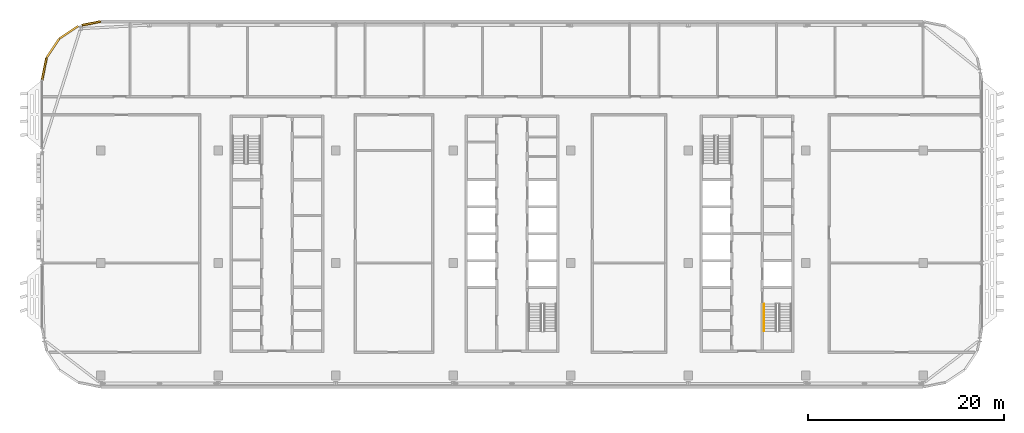
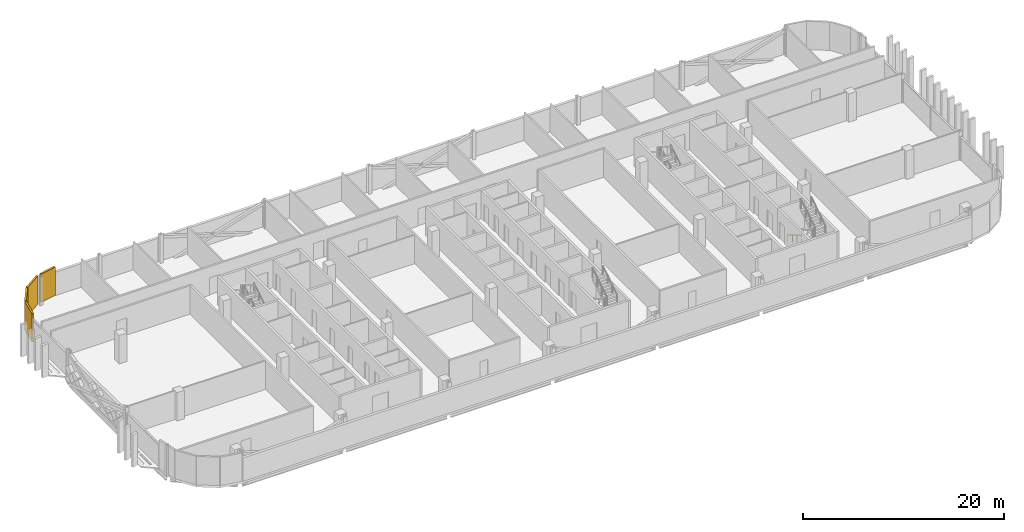
# One storey, part 23 of 25: 4 coverings, 1 railing.
"""IFC4 building model written with IfcOpenShell, lengths in metres."""

from ifc_helpers import new_model, si_unit, direction, frame, origin, origin_2d, place, context, subcontext, project, spatial, rectangle, circle, extrude, material, layer, layer_set, type_object, element, save


model = new_model("IFC4")

# Units and contexts
model_context = context("Model", 3, precision=1e-05, world=origin(), true_north=direction((0.0, 1.0)))
body_context = subcontext(model_context, "Body", "Model", "MODEL_VIEW")
ifc_project = project(units=[si_unit("LENGTHUNIT", "METRE"), si_unit("AREAUNIT", "SQUARE_METRE"), si_unit("VOLUMEUNIT", "CUBIC_METRE"), si_unit("PLANEANGLEUNIT", "RADIAN"), si_unit("MASSUNIT", "GRAM", prefix="KILO")], contexts=[model_context])

# Site, building, storey
site_placement = place(None, origin())
site = spatial("IfcSite", under=ifc_project, at=site_placement, CompositionType="ELEMENT")
building_placement = place(site_placement, origin())
building = spatial("IfcBuilding", under=site, at=building_placement, Name="Mahtab Terrace Research Tower", CompositionType="ELEMENT")
storey_placement = place(building_placement, frame((0.0, 0.0, 278.5)))
storey = spatial("IfcBuildingStorey", under=building, at=storey_placement, Name="L68", CompositionType="ELEMENT", Elevation=278.5)

# Coverings
ifc_material_1 = material(Name="Black aluminium cladding panel", Category="aluminium")
ifc_layer = layer(ifc_material_1, 0.199951171875)
ifc_layer_set = layer_set([ifc_layer], Name="Black metal corner cladding 200")
covering_type = type_object("IfcCoveringType", Name="Black metal corner cladding 200", PredefinedType="CLADDING", material=ifc_layer_set)
covering_placement = place(storey_placement, frame((-42.9677734375, 24.475341796875, 0.0), z_axis=(0.0, 0.0, 1.0), x_axis=(-0.980760981187, -0.195212442692, 0.0)))
element("IfcCovering", 1, at=covering_placement, inside=storey, type_object=covering_type, Name="Corner cladding L68 4", PredefinedType="CLADDING", context=body_context, shape_type="SweptSolid", body=[
    extrude(rectangle(XDim=1.933837890625, YDim=0.199951171875, at=origin_2d()), origin(), (0.0, 0.0, 1.0), 3.4599609375),
])
for number, where, z_axis, x_axis, name in (
    (2, (-45.26953125, 23.56103515625, 0.0), (0.0, 0.0, 1.0), (-0.831655794326, -0.555291490808, 0.0), "Corner cladding L68 5"),
    (3, (-46.89306640625, 21.9375, 0.0), (0.0, 0.0, 1.0), (-0.555291490808, -0.831655794326, 0.0), "Corner cladding L68 6"),
    (4, (-47.771484375, 19.81591796875, 0.0), (0.0, 0.0, 1.0), (-0.195212442692, -0.980760981187, 0.0), "Corner cladding L68 7"),
):
    element("IfcCovering", number, at=place(storey_placement, frame(where, z_axis=z_axis, x_axis=x_axis)), inside=storey, type_object=covering_type, Name=name, PredefinedType="CLADDING", context=body_context, shape_type="SweptSolid", body=[
        extrude(rectangle(XDim=2.30126953125, YDim=0.199951171875, at=origin_2d()), origin(), (0.0, 0.0, 1.0), 3.4599609375),
    ])

# Railing
ifc_material_2 = material(Name="Stainless steel AISI 304", Category="steel")
railing_type = type_object("IfcRailingType", Name="Stair handrail 900", PredefinedType="HANDRAIL", material=ifc_material_2)
railing_placement = place(storey_placement, frame((25.75, -4.175048828125, 0.172607421875)))
element("IfcRailing", 5, at=railing_placement, inside=storey, type_object=railing_type, Name="L68 ST4 stair handrail 1", PredefinedType="HANDRAIL", context=body_context, shape_type="SweptSolid", body=[
    extrude(circle(Radius=0.02392578125, at=origin_2d()), frame((0.0, 0.0, 0.8759765625), z_axis=(0.0, -0.851089632645, 0.525020415988), x_axis=(1.0, 0.0, 0.0)), (0.0, 0.0, 1.0), 3.2900390625),
    extrude(circle(Radius=0.02099609375, at=origin_2d()), origin(), (0.0, 0.0, 1.0), 0.851806640625),
    extrude(circle(Radius=0.02099609375, at=origin_2d()), frame((0.0, -0.933349609375, 0.57568359375)), (0.0, 0.0, 1.0), 0.851806640625),
    extrude(circle(Radius=0.02099609375, at=origin_2d()), frame((0.0, -1.86669921875, 1.151611328125)), (0.0, 0.0, 1.0), 0.851806640625),
    extrude(circle(Radius=0.02099609375, at=origin_2d()), frame((0.0, -2.800048828125, 1.727294921875)), (0.0, 0.0, 1.0), 0.851806640625),
])

save(model, "model.ifc")
